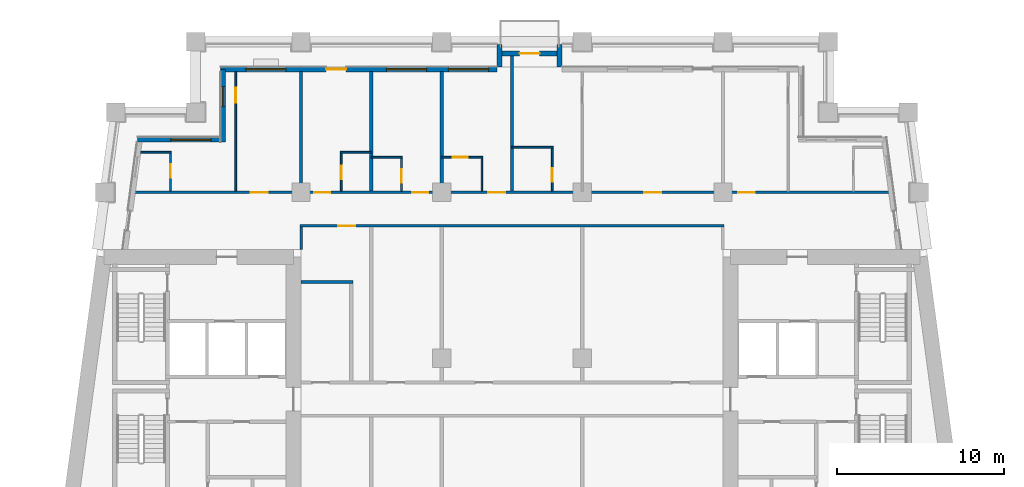
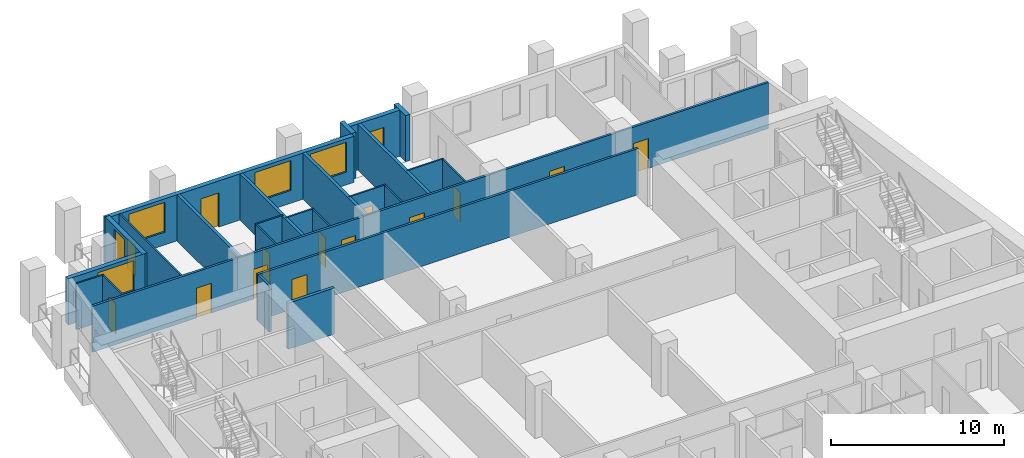
# One storey, part 6 of 13: 25 walls, 15 doors, 5 windows, 20 openings.
"""IFC4 building model written with IfcOpenShell, lengths in metres."""

from ifc_helpers import new_model, si_unit, direction, frame, frame_2d, origin, place, context, subcontext, project, spatial, rectangle, extrude, material, layer, layer_set, type_object, element, fill, save


model = new_model("IFC4")

# Units and contexts
model_context = context("Model", 3, precision=1e-05, world=origin(), true_north=direction((0.0, 1.0)))
body_context = subcontext(model_context, "Body", "Model", "MODEL_VIEW")
ifc_project = project(units=[si_unit("LENGTHUNIT", "METRE"), si_unit("AREAUNIT", "SQUARE_METRE"), si_unit("VOLUMEUNIT", "CUBIC_METRE"), si_unit("PLANEANGLEUNIT", "RADIAN"), si_unit("MASSUNIT", "GRAM", prefix="KILO")], contexts=[model_context])

# Site, building, storey
site_placement = place(None, origin())
site = spatial("IfcSite", under=ifc_project, at=site_placement, CompositionType="ELEMENT")
building_placement = place(site_placement, origin())
building = spatial("IfcBuilding", under=site, at=building_placement, Name="Candeia Pilgrim Tower and Theatre", CompositionType="ELEMENT")
storey_placement = place(building_placement, frame((0.0, 0.0, 188.5)))
storey = spatial("IfcBuildingStorey", under=building, at=storey_placement, Name="L45", CompositionType="ELEMENT", Elevation=188.5)

# Wall, openings, door, windows
ifc_material_1 = material(Name="Ceramic block masonry", Category="masonry")
ifc_layer_1 = layer(ifc_material_1, 0.300048828125)
ifc_layer_set_1 = layer_set([ifc_layer_1], Name="EW1 glazing-line wall 300")
wall_type_1 = type_object("IfcWallType", Name="EW1 glazing-line wall 300", PredefinedType="SOLIDWALL", material=ifc_layer_set_1)
wall_1_placement = place(storey_placement, frame((112.5, 143.14990234375, 0.0), z_axis=(0.0, 0.0, 1.0), x_axis=(-1.0, 0.0, 0.0)))
wall_1 = element("IfcWall", 1, at=wall_1_placement, inside=storey, type_object=wall_type_1, Name="External wall L45-6.1", PredefinedType="SOLIDWALL", context=body_context, shape_type="SweptSolid", body=[
    extrude(rectangle(XDim=16.5, YDim=0.300048828125, at=frame_2d((8.25, 0.0))), origin(), (0.0, 0.0, 1.0), 3.25),
])
opening_1_placement = place(wall_1_placement, frame((0.5, 0.0, 0.89990234375)))
opening_1 = element("IfcOpeningElement", 2, at=opening_1_placement, cuts=wall_1, Name="Opening W-A", PredefinedType="OPENING", context=body_context, shape_type="SweptSolid", body=[
    extrude(rectangle(XDim=2.39990234375, YDim=2.10009765625, at=frame_2d((1.199951171875, 1.050048828125))), frame((0.0, 0.16015625, 0.0), z_axis=(0.0, -1.0, 0.0), x_axis=(1.0, 0.0, 0.0)), (0.0, 0.0, 1.0), 0.320068359375),
])
opening_2_placement = place(wall_1_placement, frame((4.199951171875, 0.0, 0.89990234375)))
opening_2 = element("IfcOpeningElement", 3, at=opening_2_placement, cuts=wall_1, Name="Opening W-A", PredefinedType="OPENING", context=body_context, shape_type="SweptSolid", body=[
    extrude(rectangle(XDim=2.39990234375, YDim=2.10009765625, at=frame_2d((1.199951171875, 1.050048828125))), frame((0.0, 0.16015625, 0.0), z_axis=(0.0, -1.0, 0.0), x_axis=(1.0, 0.0, 0.0)), (0.0, 0.0, 1.0), 0.320068359375),
])
opening_3_placement = place(wall_1_placement, frame((9.0, 0.0, 0.0)))
opening_3 = element("IfcOpeningElement", 4, at=opening_3_placement, cuts=wall_1, Name="Opening L45-ED435", PredefinedType="OPENING", context=body_context, shape_type="SweptSolid", body=[
    extrude(rectangle(XDim=1.199951171875, YDim=2.39990234375, at=frame_2d((0.60009765625, 1.199951171875))), frame((0.0, 0.16015625, 0.0), z_axis=(0.0, -1.0, 0.0), x_axis=(1.0, 0.0, 0.0)), (0.0, 0.0, 1.0), 0.320068359375),
])
opening_4_placement = place(wall_1_placement, frame((12.60009765625, 0.0, 0.89990234375)))
opening_4 = element("IfcOpeningElement", 5, at=opening_4_placement, cuts=wall_1, Name="Opening W-A", PredefinedType="OPENING", context=body_context, shape_type="SweptSolid", body=[
    extrude(rectangle(XDim=2.39990234375, YDim=2.10009765625, at=frame_2d((1.199951171875, 1.050048828125))), frame((0.0, 0.16015625, 0.0), z_axis=(0.0, -1.0, 0.0), x_axis=(1.0, 0.0, 0.0)), (0.0, 0.0, 1.0), 0.320068359375),
])
ifc_material_2 = material(Name="Aluminium framed glazed door", Category="aluminium")
door_type_1 = type_object("IfcDoorType", Name="Loggia door 1200x2400", OperationType="DOUBLE_DOOR_SINGLE_SWING", PredefinedType="DOOR", material=ifc_material_2)
door_1_placement = place(opening_3_placement, origin())
door_1 = element("IfcDoor", 6, at=door_1_placement, inside=storey, type_object=door_type_1, Name="Loggia door L45-ED435", OperationType="DOUBLE_DOOR_SINGLE_SWING", OverallHeight=2.39990234375, OverallWidth=1.199951171875, PredefinedType="DOOR", context=body_context, shape_type="SweptSolid", body=[
    extrude(rectangle(XDim=1.199951171875, YDim=2.39990234375, at=frame_2d((0.60009765625, 1.199951171875))), frame((0.0, 0.02490234375, 0.0), z_axis=(0.0, -1.0, 0.0), x_axis=(1.0, 0.0, 0.0)), (0.0, 0.0, 1.0), 0.050048828125),
])
fill(opening_3, door_1)
ifc_material_3 = material(Name="Aluminium framed double glazing", Category="aluminium")
window_type_1 = type_object("IfcWindowType", Name="W-A window 2400x2100", PartitioningType="DOUBLE_PANEL_VERTICAL", PredefinedType="WINDOW", material=ifc_material_3)
window_1_placement = place(opening_1_placement, origin())
window_1 = element("IfcWindow", 7, at=window_1_placement, inside=storey, type_object=window_type_1, Name="Window W-A L45", OverallHeight=2.10009765625, OverallWidth=2.39990234375, PartitioningType="SINGLE_PANEL", PredefinedType="WINDOW", context=body_context, shape_type="SweptSolid", body=[
    extrude(rectangle(XDim=2.39990234375, YDim=2.10009765625, at=frame_2d((1.199951171875, 1.050048828125))), frame((0.0, 0.030029296875, 0.0), z_axis=(0.0, -1.0, 0.0), x_axis=(1.0, 0.0, 0.0)), (0.0, 0.0, 1.0), 0.06005859375),
])
fill(opening_1, window_1)
window_2_placement = place(opening_2_placement, origin())
window_2 = element("IfcWindow", 8, at=window_2_placement, inside=storey, type_object=window_type_1, Name="Window W-A L45", OverallHeight=2.10009765625, OverallWidth=2.39990234375, PartitioningType="SINGLE_PANEL", PredefinedType="WINDOW", context=body_context, shape_type="SweptSolid", body=[
    extrude(rectangle(XDim=2.39990234375, YDim=2.10009765625, at=frame_2d((1.199951171875, 1.050048828125))), frame((0.0, 0.030029296875, 0.0), z_axis=(0.0, -1.0, 0.0), x_axis=(1.0, 0.0, 0.0)), (0.0, 0.0, 1.0), 0.06005859375),
])
fill(opening_2, window_2)
window_3_placement = place(opening_4_placement, origin())
window_3 = element("IfcWindow", 9, at=window_3_placement, inside=storey, type_object=window_type_1, Name="Window W-A L45", OverallHeight=2.10009765625, OverallWidth=2.39990234375, PartitioningType="SINGLE_PANEL", PredefinedType="WINDOW", context=body_context, shape_type="SweptSolid", body=[
    extrude(rectangle(XDim=2.39990234375, YDim=2.10009765625, at=frame_2d((1.199951171875, 1.050048828125))), frame((0.0, 0.030029296875, 0.0), z_axis=(0.0, -1.0, 0.0), x_axis=(1.0, 0.0, 0.0)), (0.0, 0.0, 1.0), 0.06005859375),
])
fill(opening_4, window_3)

# Wall, opening, window
wall_2_placement = place(storey_placement, frame((96.14990234375, 143.14990234375, 0.0), z_axis=(0.0, 0.0, 1.0), x_axis=(0.0, -1.0, 0.0)))
wall_2 = element("IfcWall", 10, at=wall_2_placement, inside=storey, type_object=wall_type_1, Name="External wall L45-7.0", PredefinedType="SOLIDWALL", context=body_context, shape_type="SweptSolid", body=[
    extrude(rectangle(XDim=4.349853515625, YDim=0.300048828125, at=frame_2d((2.1748046875, 0.0))), origin(), (0.0, 0.0, 1.0), 3.25),
])
opening_5_placement = place(wall_2_placement, frame((1.02490234375, 0.0, 0.89990234375)))
opening_5 = element("IfcOpeningElement", 11, at=opening_5_placement, cuts=wall_2, Name="Opening W-B", PredefinedType="OPENING", context=body_context, shape_type="SweptSolid", body=[
    extrude(rectangle(XDim=1.199951171875, YDim=2.10009765625, at=frame_2d((0.60009765625, 1.050048828125))), frame((0.0, 0.16015625, 0.0), z_axis=(0.0, -1.0, 0.0), x_axis=(1.0, 0.0, 0.0)), (0.0, 0.0, 1.0), 0.320068359375),
])
window_type_2 = type_object("IfcWindowType", Name="W-B window 1200x2100", PartitioningType="SINGLE_PANEL", PredefinedType="WINDOW", material=ifc_material_3)
window_4_placement = place(opening_5_placement, origin())
window_4 = element("IfcWindow", 12, at=window_4_placement, inside=storey, type_object=window_type_2, Name="Window W-B L45", OverallHeight=2.10009765625, OverallWidth=1.199951171875, PartitioningType="SINGLE_PANEL", PredefinedType="WINDOW", context=body_context, shape_type="SweptSolid", body=[
    extrude(rectangle(XDim=1.199951171875, YDim=2.10009765625, at=frame_2d((0.60009765625, 1.050048828125))), frame((0.0, 0.030029296875, 0.0), z_axis=(0.0, -1.0, 0.0), x_axis=(1.0, 0.0, 0.0)), (0.0, 0.0, 1.0), 0.06005859375),
])
fill(opening_5, window_4)

wall_3_placement = place(storey_placement, frame((96.14990234375, 138.949951171875, 0.0), z_axis=(0.0, 0.0, 1.0), x_axis=(-1.0, 0.0, 0.0)))
wall_3 = element("IfcWall", 13, at=wall_3_placement, inside=storey, type_object=wall_type_1, Name="External wall L45-8.0", PredefinedType="SOLIDWALL", context=body_context, shape_type="SweptSolid", body=[
    extrude(rectangle(XDim=5.103759765625, YDim=0.300048828125, at=frame_2d((2.5517578125, 0.0))), origin(), (0.0, 0.0, 1.0), 3.25),
])
opening_6_placement = place(wall_3_placement, frame((0.72509765625, 0.0, 0.89990234375)))
opening_6 = element("IfcOpeningElement", 14, at=opening_6_placement, cuts=wall_3, Name="Opening W-A", PredefinedType="OPENING", context=body_context, shape_type="SweptSolid", body=[
    extrude(rectangle(XDim=2.39990234375, YDim=2.10009765625, at=frame_2d((1.199951171875, 1.050048828125))), frame((0.0, 0.16015625, 0.0), z_axis=(0.0, -1.0, 0.0), x_axis=(1.0, 0.0, 0.0)), (0.0, 0.0, 1.0), 0.320068359375),
])
window_5_placement = place(opening_6_placement, origin())
window_5 = element("IfcWindow", 15, at=window_5_placement, inside=storey, type_object=window_type_1, Name="Window W-A L45", OverallHeight=2.10009765625, OverallWidth=2.39990234375, PartitioningType="SINGLE_PANEL", PredefinedType="WINDOW", context=body_context, shape_type="SweptSolid", body=[
    extrude(rectangle(XDim=2.39990234375, YDim=2.10009765625, at=frame_2d((1.199951171875, 1.050048828125))), frame((0.0, 0.030029296875, 0.0), z_axis=(0.0, -1.0, 0.0), x_axis=(1.0, 0.0, 0.0)), (0.0, 0.0, 1.0), 0.06005859375),
])
fill(opening_6, window_5)

# Walls
ifc_layer_2 = layer(ifc_material_1, 0.300048828125)
ifc_layer_set_2 = layer_set([ifc_layer_2], Name="EW2 entrance infill wall 300")
wall_type_2 = type_object("IfcWallType", Name="EW2 entrance infill wall 300", PredefinedType="SOLIDWALL", material=ifc_layer_set_2)
for number, where, z_axis, x_axis, name in (
    (16, (116.25, 143.300048828125, 0.0), (0.0, 0.0, 1.0), (0.0, 1.0, 0.0), "Alcove wall L45"),
    (17, (112.64990234375, 143.300048828125, 0.0), (0.0, 0.0, 1.0), (0.0, 1.0, 0.0), "Alcove wall L45"),
):
    element("IfcWall", number, at=place(storey_placement, frame(where, z_axis=z_axis, x_axis=x_axis)), inside=storey, type_object=wall_type_2, Name=name, PredefinedType="SOLIDWALL", context=body_context, shape_type="SweptSolid", body=[
        extrude(rectangle(XDim=1.349853515625, YDim=0.300048828125, at=frame_2d((0.6748046875, 0.0))), origin(), (0.0, 0.0, 1.0), 3.25),
    ])

# Wall, opening, door
wall_4_placement = place(storey_placement, frame((116.39990234375, 144.10009765625, 0.0), z_axis=(0.0, 0.0, 1.0), x_axis=(-1.0, 0.0, 0.0)))
wall_4 = element("IfcWall", 18, at=wall_4_placement, inside=storey, type_object=wall_type_2, Name="Alcove wall L45", PredefinedType="SOLIDWALL", context=body_context, shape_type="SweptSolid", body=[
    extrude(rectangle(XDim=3.89990234375, YDim=0.300048828125, at=frame_2d((1.949951171875, 0.0))), origin(), (0.0, 0.0, 1.0), 3.25),
])
opening_7_placement = place(wall_4_placement, frame((1.35009765625, 0.0, 0.0)))
opening_7 = element("IfcOpeningElement", 19, at=opening_7_placement, cuts=wall_4, Name="Opening L45-ED436", PredefinedType="OPENING", context=body_context, shape_type="SweptSolid", body=[
    extrude(rectangle(XDim=1.199951171875, YDim=2.39990234375, at=frame_2d((0.60009765625, 1.199951171875))), frame((0.0, 0.16015625, 0.0), z_axis=(0.0, -1.0, 0.0), x_axis=(1.0, 0.0, 0.0)), (0.0, 0.0, 1.0), 0.320068359375),
])
door_2_placement = place(opening_7_placement, origin())
door_2 = element("IfcDoor", 20, at=door_2_placement, inside=storey, type_object=door_type_1, Name="Balcony door L45-ED436", OperationType="DOUBLE_DOOR_SINGLE_SWING", OverallHeight=2.39990234375, OverallWidth=1.199951171875, PredefinedType="DOOR", context=body_context, shape_type="SweptSolid", body=[
    extrude(rectangle(XDim=1.199951171875, YDim=2.39990234375, at=frame_2d((0.60009765625, 1.199951171875))), frame((0.0, 0.02490234375, 0.0), z_axis=(0.0, -1.0, 0.0), x_axis=(1.0, 0.0, 0.0)), (0.0, 0.0, 1.0), 0.050048828125),
])
fill(opening_7, door_2)

# Wall
ifc_material_4 = material(Name="Gypsum board partition on steel studs", Category="steel")
ifc_layer_3 = layer(ifc_material_4, 0.10009765625)
ifc_layer_set_3 = layer_set([ifc_layer_3], Name="PW-100 room partition")
wall_type_3 = type_object("IfcWallType", Name="PW-100 room partition", PredefinedType="PARTITIONING", material=ifc_layer_set_3)
wall_5_placement = place(storey_placement, frame((105.0, 137.89990234375, 0.0), z_axis=(0.0, 0.0, 1.0), x_axis=(1.0, 0.0, 0.0)))
element("IfcWall", 21, at=wall_5_placement, inside=storey, type_object=wall_type_3, Name="Room partition L45-042", PredefinedType="PARTITIONING", context=body_context, shape_type="SweptSolid", body=[
    extrude(rectangle(XDim=1.85009765625, YDim=0.10009765625, at=frame_2d((0.925048828125, 0.0))), origin(), (0.0, 0.0, 1.0), 3.25),
])

# Wall, opening, door
wall_6_placement = place(storey_placement, frame((109.199951171875, 137.89990234375, 0.0), z_axis=(0.0, 0.0, 1.0), x_axis=(1.0, 0.0, 0.0)))
wall_6 = element("IfcWall", 22, at=wall_6_placement, inside=storey, type_object=wall_type_3, Name="Room partition L45-043", PredefinedType="PARTITIONING", context=body_context, shape_type="SweptSolid", body=[
    extrude(rectangle(XDim=2.449951171875, YDim=0.10009765625, at=frame_2d((1.22509765625, 0.0))), origin(), (0.0, 0.0, 1.0), 3.25),
])
opening_8_placement = place(wall_6_placement, frame((0.669921875, 0.0, 0.0)))
opening_8 = element("IfcOpeningElement", 23, at=opening_8_placement, cuts=wall_6, Name="Opening L45-D039", PredefinedType="OPENING", context=body_context, shape_type="SweptSolid", body=[
    extrude(rectangle(XDim=0.89990234375, YDim=2.10009765625, at=frame_2d((0.449951171875, 1.050048828125))), frame((0.0, 0.06005859375, 0.0), z_axis=(0.0, -1.0, 0.0), x_axis=(1.0, 0.0, 0.0)), (0.0, 0.0, 1.0), 0.1201171875),
])
ifc_material_5 = material(Name="Timber door leaf", Category="wood")
door_type_2 = type_object("IfcDoorType", Name="D-900", OperationType="NOTDEFINED", PredefinedType="DOOR", material=ifc_material_5)
door_3_placement = place(opening_8_placement, origin())
door_3 = element("IfcDoor", 24, at=door_3_placement, inside=storey, type_object=door_type_2, Name="Door L45-D039", OperationType="SINGLE_SWING_RIGHT", OverallHeight=2.10009765625, OverallWidth=0.89990234375, PredefinedType="DOOR", context=body_context, shape_type="SweptSolid", body=[
    extrude(rectangle(XDim=0.89990234375, YDim=2.10009765625, at=frame_2d((0.449951171875, 1.050048828125))), frame((0.0, 0.02490234375, 0.0), z_axis=(0.0, -1.0, 0.0), x_axis=(1.0, 0.0, 0.0)), (0.0, 0.0, 1.0), 0.050048828125),
])
fill(opening_8, door_3)

# Walls
wall_7_placement = place(storey_placement, frame((91.2177734375, 138.199951171875, 0.0), z_axis=(0.0, 0.0, 1.0), x_axis=(1.0, 0.0, 0.0)))
element("IfcWall", 25, at=wall_7_placement, inside=storey, type_object=wall_type_3, Name="Room partition L45-044", PredefinedType="PARTITIONING", context=body_context, shape_type="SweptSolid", body=[
    extrude(rectangle(XDim=1.832275390625, YDim=0.10009765625, at=frame_2d((0.916015625, 0.0))), origin(), (0.0, 0.0, 1.0), 3.25),
])
wall_8_placement = place(storey_placement, frame((103.14990234375, 138.199951171875, 0.0), z_axis=(0.0, 0.0, 1.0), x_axis=(1.0, 0.0, 0.0)))
element("IfcWall", 26, at=wall_8_placement, inside=storey, type_object=wall_type_3, Name="Room partition L45-045", PredefinedType="PARTITIONING", context=body_context, shape_type="SweptSolid", body=[
    extrude(rectangle(XDim=1.85009765625, YDim=0.10009765625, at=frame_2d((0.925048828125, 0.0))), origin(), (0.0, 0.0, 1.0), 3.25),
])
wall_9_placement = place(storey_placement, frame((113.39990234375, 138.5, 0.0), z_axis=(0.0, 0.0, 1.0), x_axis=(1.0, 0.0, 0.0)))
element("IfcWall", 27, at=wall_9_placement, inside=storey, type_object=wall_type_3, Name="Room partition L45-046", PredefinedType="PARTITIONING", context=body_context, shape_type="SweptSolid", body=[
    extrude(rectangle(XDim=2.4501953125, YDim=0.10009765625, at=frame_2d((1.22509765625, 0.0))), origin(), (0.0, 0.0, 1.0), 3.25),
])

# Wall, opening, door
wall_10_placement = place(storey_placement, frame((93.0, 135.875, 0.0), z_axis=(0.0, 0.0, 1.0), x_axis=(0.0, 1.0, 0.0)))
wall_10 = element("IfcWall", 28, at=wall_10_placement, inside=storey, type_object=wall_type_3, Name="Room partition L45-059", PredefinedType="PARTITIONING", context=body_context, shape_type="SweptSolid", body=[
    extrude(rectangle(XDim=2.27490234375, YDim=0.10009765625, at=frame_2d((1.137451171875, 0.0))), origin(), (0.0, 0.0, 1.0), 3.25),
])
opening_9_placement = place(wall_10_placement, frame((0.81494140625, 0.0, 0.0)))
opening_9 = element("IfcOpeningElement", 29, at=opening_9_placement, cuts=wall_10, Name="Opening L45-D033", PredefinedType="OPENING", context=body_context, shape_type="SweptSolid", body=[
    extrude(rectangle(XDim=0.800048828125, YDim=2.10009765625, at=frame_2d((0.39990234375, 1.050048828125))), frame((0.0, 0.06005859375, 0.0), z_axis=(0.0, -1.0, 0.0), x_axis=(1.0, 0.0, 0.0)), (0.0, 0.0, 1.0), 0.1201171875),
])
door_type_3 = type_object("IfcDoorType", Name="D-800", OperationType="NOTDEFINED", PredefinedType="DOOR", material=ifc_material_5)
door_4_placement = place(opening_9_placement, origin())
door_4 = element("IfcDoor", 30, at=door_4_placement, inside=storey, type_object=door_type_3, Name="Door L45-D033", OperationType="SINGLE_SWING_RIGHT", OverallHeight=2.10009765625, OverallWidth=0.800048828125, PredefinedType="DOOR", context=body_context, shape_type="SweptSolid", body=[
    extrude(rectangle(XDim=0.800048828125, YDim=2.10009765625, at=frame_2d((0.39990234375, 1.050048828125))), frame((0.0, 0.02490234375, 0.0), z_axis=(0.0, -1.0, 0.0), x_axis=(1.0, 0.0, 0.0)), (0.0, 0.0, 1.0), 0.050048828125),
])
fill(opening_9, door_4)

wall_11_placement = place(storey_placement, frame((96.89990234375, 135.875, 0.0), z_axis=(0.0, 0.0, 1.0), x_axis=(0.0, 1.0, 0.0)))
wall_11 = element("IfcWall", 31, at=wall_11_placement, inside=storey, type_object=wall_type_3, Name="Room partition L45-064", PredefinedType="PARTITIONING", context=body_context, shape_type="SweptSolid", body=[
    extrude(rectangle(XDim=7.135009765625, YDim=0.10009765625, at=frame_2d((3.5673828125, 0.0))), origin(), (0.0, 0.0, 1.0), 3.25),
])
opening_10_placement = place(wall_11_placement, frame((5.2900390625, 0.0, 0.0)))
opening_10 = element("IfcOpeningElement", 32, at=opening_10_placement, cuts=wall_11, Name="Opening L45-D032", PredefinedType="OPENING", context=body_context, shape_type="SweptSolid", body=[
    extrude(rectangle(XDim=0.89990234375, YDim=2.10009765625, at=frame_2d((0.449951171875, 1.050048828125))), frame((0.0, 0.06005859375, 0.0), z_axis=(0.0, -1.0, 0.0), x_axis=(1.0, 0.0, 0.0)), (0.0, 0.0, 1.0), 0.1201171875),
])
door_5_placement = place(opening_10_placement, origin())
door_5 = element("IfcDoor", 33, at=door_5_placement, inside=storey, type_object=door_type_2, Name="Door L45-D032", OperationType="SINGLE_SWING_LEFT", OverallHeight=2.10009765625, OverallWidth=0.89990234375, PredefinedType="DOOR", context=body_context, shape_type="SweptSolid", body=[
    extrude(rectangle(XDim=0.89990234375, YDim=2.10009765625, at=frame_2d((0.449951171875, 1.050048828125))), frame((0.0, 0.02490234375, 0.0), z_axis=(0.0, -1.0, 0.0), x_axis=(1.0, 0.0, 0.0)), (0.0, 0.0, 1.0), 0.050048828125),
])
fill(opening_10, door_5)

wall_12_placement = place(storey_placement, frame((103.199951171875, 135.875, 0.0), z_axis=(0.0, 0.0, 1.0), x_axis=(0.0, 1.0, 0.0)))
wall_12 = element("IfcWall", 34, at=wall_12_placement, inside=storey, type_object=wall_type_3, Name="Room partition L45-073", PredefinedType="PARTITIONING", context=body_context, shape_type="SweptSolid", body=[
    extrude(rectangle(XDim=2.27490234375, YDim=0.10009765625, at=frame_2d((1.137451171875, 0.0))), origin(), (0.0, 0.0, 1.0), 3.25),
])
opening_11_placement = place(wall_12_placement, frame((0.72509765625, 0.0, 0.0)))
opening_11 = element("IfcOpeningElement", 35, at=opening_11_placement, cuts=wall_12, Name="Opening L45-D035", PredefinedType="OPENING", context=body_context, shape_type="SweptSolid", body=[
    extrude(rectangle(XDim=0.800048828125, YDim=2.10009765625, at=frame_2d((0.39990234375, 1.050048828125))), frame((0.0, 0.06005859375, 0.0), z_axis=(0.0, -1.0, 0.0), x_axis=(1.0, 0.0, 0.0)), (0.0, 0.0, 1.0), 0.1201171875),
])
door_6_placement = place(opening_11_placement, origin())
door_6 = element("IfcDoor", 36, at=door_6_placement, inside=storey, type_object=door_type_3, Name="Door L45-D035", OperationType="SINGLE_SWING_RIGHT", OverallHeight=2.10009765625, OverallWidth=0.800048828125, PredefinedType="DOOR", context=body_context, shape_type="SweptSolid", body=[
    extrude(rectangle(XDim=0.800048828125, YDim=2.10009765625, at=frame_2d((0.39990234375, 1.050048828125))), frame((0.0, 0.02490234375, 0.0), z_axis=(0.0, -1.0, 0.0), x_axis=(1.0, 0.0, 0.0)), (0.0, 0.0, 1.0), 0.050048828125),
])
fill(opening_11, door_6)

wall_13_placement = place(storey_placement, frame((106.800048828125, 135.875, 0.0), z_axis=(0.0, 0.0, 1.0), x_axis=(0.0, 1.0, 0.0)))
wall_13 = element("IfcWall", 37, at=wall_13_placement, inside=storey, type_object=wall_type_3, Name="Room partition L45-079", PredefinedType="PARTITIONING", context=body_context, shape_type="SweptSolid", body=[
    extrude(rectangle(XDim=1.97509765625, YDim=0.10009765625, at=frame_2d((0.987548828125, 0.0))), origin(), (0.0, 0.0, 1.0), 3.25),
])
opening_12_placement = place(wall_13_placement, frame((0.514892578125, 0.0, 0.0)))
opening_12 = element("IfcOpeningElement", 38, at=opening_12_placement, cuts=wall_13, Name="Opening L45-D037", PredefinedType="OPENING", context=body_context, shape_type="SweptSolid", body=[
    extrude(rectangle(XDim=0.800048828125, YDim=2.10009765625, at=frame_2d((0.39990234375, 1.050048828125))), frame((0.0, 0.06005859375, 0.0), z_axis=(0.0, -1.0, 0.0), x_axis=(1.0, 0.0, 0.0)), (0.0, 0.0, 1.0), 0.1201171875),
])
door_7_placement = place(opening_12_placement, origin())
door_7 = element("IfcDoor", 39, at=door_7_placement, inside=storey, type_object=door_type_3, Name="Door L45-D037", OperationType="SINGLE_SWING_RIGHT", OverallHeight=2.10009765625, OverallWidth=0.800048828125, PredefinedType="DOOR", context=body_context, shape_type="SweptSolid", body=[
    extrude(rectangle(XDim=0.800048828125, YDim=2.10009765625, at=frame_2d((0.39990234375, 1.050048828125))), frame((0.0, 0.02490234375, 0.0), z_axis=(0.0, -1.0, 0.0), x_axis=(1.0, 0.0, 0.0)), (0.0, 0.0, 1.0), 0.050048828125),
])
fill(opening_12, door_7)

# Wall
wall_14_placement = place(storey_placement, frame((111.60009765625, 135.875, 0.0), z_axis=(0.0, 0.0, 1.0), x_axis=(0.0, 1.0, 0.0)))
element("IfcWall", 40, at=wall_14_placement, inside=storey, type_object=wall_type_3, Name="Room partition L45-084", PredefinedType="PARTITIONING", context=body_context, shape_type="SweptSolid", body=[
    extrude(rectangle(XDim=1.97509765625, YDim=0.10009765625, at=frame_2d((0.987548828125, 0.0))), origin(), (0.0, 0.0, 1.0), 3.25),
])

# Wall, opening, door
wall_15_placement = place(storey_placement, frame((115.800048828125, 135.875, 0.0), z_axis=(0.0, 0.0, 1.0), x_axis=(0.0, 1.0, 0.0)))
wall_15 = element("IfcWall", 41, at=wall_15_placement, inside=storey, type_object=wall_type_3, Name="Room partition L45-087", PredefinedType="PARTITIONING", context=body_context, shape_type="SweptSolid", body=[
    extrude(rectangle(XDim=2.574951171875, YDim=0.10009765625, at=frame_2d((1.28759765625, 0.0))), origin(), (0.0, 0.0, 1.0), 3.25),
])
opening_13_placement = place(wall_15_placement, frame((0.574951171875, 0.0, 0.0)))
opening_13 = element("IfcOpeningElement", 42, at=opening_13_placement, cuts=wall_15, Name="Opening L45-D042", PredefinedType="OPENING", context=body_context, shape_type="SweptSolid", body=[
    extrude(rectangle(XDim=0.800048828125, YDim=2.10009765625, at=frame_2d((0.39990234375, 1.050048828125))), frame((0.0, 0.06005859375, 0.0), z_axis=(0.0, -1.0, 0.0), x_axis=(1.0, 0.0, 0.0)), (0.0, 0.0, 1.0), 0.1201171875),
])
door_8_placement = place(opening_13_placement, origin())
door_8 = element("IfcDoor", 43, at=door_8_placement, inside=storey, type_object=door_type_3, Name="Door L45-D042", OperationType="SINGLE_SWING_LEFT", OverallHeight=2.10009765625, OverallWidth=0.800048828125, PredefinedType="DOOR", context=body_context, shape_type="SweptSolid", body=[
    extrude(rectangle(XDim=0.800048828125, YDim=2.10009765625, at=frame_2d((0.39990234375, 1.050048828125))), frame((0.0, 0.02490234375, 0.0), z_axis=(0.0, -1.0, 0.0), x_axis=(1.0, 0.0, 0.0)), (0.0, 0.0, 1.0), 0.050048828125),
])
fill(opening_13, door_8)

ifc_layer_4 = layer(ifc_material_4, 0.14990234375)
ifc_layer_set_4 = layer_set([ifc_layer_4], Name="PW-150 unit wall")
wall_type_4 = type_object("IfcWallType", Name="PW-150 unit wall", PredefinedType="PARTITIONING", material=ifc_layer_set_4)
wall_16_placement = place(storey_placement, frame((100.72509765625, 133.800048828125, 0.0), z_axis=(0.0, 0.0, 1.0), x_axis=(1.0, 0.0, 0.0)))
wall_16 = element("IfcWall", 44, at=wall_16_placement, inside=storey, type_object=wall_type_4, Name="Unit wall L45-040", PredefinedType="PARTITIONING", context=body_context, shape_type="SweptSolid", body=[
    extrude(rectangle(XDim=25.349853515625, YDim=0.14990234375, at=frame_2d((12.6748046875, 0.0))), origin(), (0.0, 0.0, 1.0), 3.25),
])
opening_14_placement = place(wall_16_placement, frame((2.300048828125, 0.0, 0.0)))
opening_14 = element("IfcOpeningElement", 45, at=opening_14_placement, cuts=wall_16, Name="Opening L45-D046", PredefinedType="OPENING", context=body_context, shape_type="SweptSolid", body=[
    extrude(rectangle(XDim=1.0, YDim=2.10009765625, at=frame_2d((0.5, 1.050048828125))), frame((0.0, 0.0849609375, 0.0), z_axis=(0.0, -1.0, 0.0), x_axis=(1.0, 0.0, 0.0)), (0.0, 0.0, 1.0), 0.169921875),
])
ifc_material_6 = material(Name="Steel fire door set", Category="steel")
door_type_4 = type_object("IfcDoorType", Name="D-1000-FD30S", OperationType="NOTDEFINED", PredefinedType="DOOR", material=ifc_material_6)
door_9_placement = place(opening_14_placement, origin())
door_9 = element("IfcDoor", 46, at=door_9_placement, inside=storey, type_object=door_type_4, Name="Door L45-D046", OperationType="SINGLE_SWING_LEFT", OverallHeight=2.10009765625, OverallWidth=1.0, PredefinedType="DOOR", context=body_context, shape_type="SweptSolid", body=[
    extrude(rectangle(XDim=1.0, YDim=2.10009765625, at=frame_2d((0.5, 1.050048828125))), frame((0.0, 0.02490234375, 0.0), z_axis=(0.0, -1.0, 0.0), x_axis=(1.0, 0.0, 0.0)), (0.0, 0.0, 1.0), 0.050048828125),
])
fill(opening_14, door_9)

# Wall, openings, doors
wall_17_placement = place(storey_placement, frame((90.89453125, 135.800048828125, 0.0), z_axis=(0.0, 0.0, 1.0), x_axis=(1.0, 0.0, 0.0)))
wall_17 = element("IfcWall", 47, at=wall_17_placement, inside=storey, type_object=wall_type_4, Name="Unit wall L45-041", PredefinedType="PARTITIONING", context=body_context, shape_type="SweptSolid", body=[
    extrude(rectangle(XDim=45.010986328125, YDim=0.14990234375, at=frame_2d((22.50537109375, 0.0))), origin(), (0.0, 0.0, 1.0), 3.25),
])
opening_15_placement = place(wall_17_placement, frame((6.905517578125, 0.0, 0.0)))
opening_15 = element("IfcOpeningElement", 48, at=opening_15_placement, cuts=wall_17, Name="Opening L45-D031", PredefinedType="OPENING", context=body_context, shape_type="SweptSolid", body=[
    extrude(rectangle(XDim=1.0, YDim=2.10009765625, at=frame_2d((0.5, 1.050048828125))), frame((0.0, 0.0849609375, 0.0), z_axis=(0.0, -1.0, 0.0), x_axis=(1.0, 0.0, 0.0)), (0.0, 0.0, 1.0), 0.169921875),
])
opening_16_placement = place(wall_17_placement, frame((10.705322265625, 0.0, 0.0)))
opening_16 = element("IfcOpeningElement", 49, at=opening_16_placement, cuts=wall_17, Name="Opening L45-D034", PredefinedType="OPENING", context=body_context, shape_type="SweptSolid", body=[
    extrude(rectangle(XDim=0.949951171875, YDim=2.10009765625, at=frame_2d((0.47509765625, 1.050048828125))), frame((0.0, 0.0849609375, 0.0), z_axis=(0.0, -1.0, 0.0), x_axis=(1.0, 0.0, 0.0)), (0.0, 0.0, 1.0), 0.169921875),
])
opening_17_placement = place(wall_17_placement, frame((16.555419921875, 0.0, 0.0)))
opening_17 = element("IfcOpeningElement", 50, at=opening_17_placement, cuts=wall_17, Name="Opening L45-D036", PredefinedType="OPENING", context=body_context, shape_type="SweptSolid", body=[
    extrude(rectangle(XDim=0.949951171875, YDim=2.10009765625, at=frame_2d((0.47509765625, 1.050048828125))), frame((0.0, 0.0849609375, 0.0), z_axis=(0.0, -1.0, 0.0), x_axis=(1.0, 0.0, 0.0)), (0.0, 0.0, 1.0), 0.169921875),
])
opening_18_placement = place(wall_17_placement, frame((21.095458984375, 0.0, 0.0)))
opening_18 = element("IfcOpeningElement", 51, at=opening_18_placement, cuts=wall_17, Name="Opening L45-D038", PredefinedType="OPENING", context=body_context, shape_type="SweptSolid", body=[
    extrude(rectangle(XDim=1.0, YDim=2.10009765625, at=frame_2d((0.5, 1.050048828125))), frame((0.0, 0.0849609375, 0.0), z_axis=(0.0, -1.0, 0.0), x_axis=(1.0, 0.0, 0.0)), (0.0, 0.0, 1.0), 0.169921875),
])
opening_19_placement = place(wall_17_placement, frame((30.405517578125, 0.0, 0.0)))
opening_19 = element("IfcOpeningElement", 52, at=opening_19_placement, cuts=wall_17, Name="Opening L45-D040", PredefinedType="OPENING", context=body_context, shape_type="SweptSolid", body=[
    extrude(rectangle(XDim=1.0, YDim=2.10009765625, at=frame_2d((0.5, 1.050048828125))), frame((0.0, 0.0849609375, 0.0), z_axis=(0.0, -1.0, 0.0), x_axis=(1.0, 0.0, 0.0)), (0.0, 0.0, 1.0), 0.169921875),
])
opening_20_placement = place(wall_17_placement, frame((36.00537109375, 0.0, 0.0)))
opening_20 = element("IfcOpeningElement", 53, at=opening_20_placement, cuts=wall_17, Name="Opening L45-D043", PredefinedType="OPENING", context=body_context, shape_type="SweptSolid", body=[
    extrude(rectangle(XDim=1.0, YDim=2.10009765625, at=frame_2d((0.5, 1.050048828125))), frame((0.0, 0.0849609375, 0.0), z_axis=(0.0, -1.0, 0.0), x_axis=(1.0, 0.0, 0.0)), (0.0, 0.0, 1.0), 0.169921875),
])
door_10_placement = place(opening_15_placement, origin())
door_10 = element("IfcDoor", 54, at=door_10_placement, inside=storey, type_object=door_type_4, Name="Door L45-D031", OperationType="SINGLE_SWING_RIGHT", OverallHeight=2.10009765625, OverallWidth=1.0, PredefinedType="DOOR", context=body_context, shape_type="SweptSolid", body=[
    extrude(rectangle(XDim=1.0, YDim=2.10009765625, at=frame_2d((0.5, 1.050048828125))), frame((0.0, 0.02490234375, 0.0), z_axis=(0.0, -1.0, 0.0), x_axis=(1.0, 0.0, 0.0)), (0.0, 0.0, 1.0), 0.050048828125),
])
fill(opening_15, door_10)
door_11_placement = place(opening_18_placement, origin())
door_11 = element("IfcDoor", 55, at=door_11_placement, inside=storey, type_object=door_type_4, Name="Door L45-D038", OperationType="SINGLE_SWING_LEFT", OverallHeight=2.10009765625, OverallWidth=1.0, PredefinedType="DOOR", context=body_context, shape_type="SweptSolid", body=[
    extrude(rectangle(XDim=1.0, YDim=2.10009765625, at=frame_2d((0.5, 1.050048828125))), frame((0.0, 0.02490234375, 0.0), z_axis=(0.0, -1.0, 0.0), x_axis=(1.0, 0.0, 0.0)), (0.0, 0.0, 1.0), 0.050048828125),
])
fill(opening_18, door_11)
door_12_placement = place(opening_19_placement, origin())
door_12 = element("IfcDoor", 56, at=door_12_placement, inside=storey, type_object=door_type_4, Name="Door L45-D040", OperationType="SINGLE_SWING_LEFT", OverallHeight=2.10009765625, OverallWidth=1.0, PredefinedType="DOOR", context=body_context, shape_type="SweptSolid", body=[
    extrude(rectangle(XDim=1.0, YDim=2.10009765625, at=frame_2d((0.5, 1.050048828125))), frame((0.0, 0.02490234375, 0.0), z_axis=(0.0, -1.0, 0.0), x_axis=(1.0, 0.0, 0.0)), (0.0, 0.0, 1.0), 0.050048828125),
])
fill(opening_19, door_12)
door_13_placement = place(opening_20_placement, origin())
door_13 = element("IfcDoor", 57, at=door_13_placement, inside=storey, type_object=door_type_4, Name="Door L45-D043", OperationType="SINGLE_SWING_RIGHT", OverallHeight=2.10009765625, OverallWidth=1.0, PredefinedType="DOOR", context=body_context, shape_type="SweptSolid", body=[
    extrude(rectangle(XDim=1.0, YDim=2.10009765625, at=frame_2d((0.5, 1.050048828125))), frame((0.0, 0.02490234375, 0.0), z_axis=(0.0, -1.0, 0.0), x_axis=(1.0, 0.0, 0.0)), (0.0, 0.0, 1.0), 0.050048828125),
])
fill(opening_20, door_13)
door_type_5 = type_object("IfcDoorType", Name="D-950-FD30S", OperationType="NOTDEFINED", PredefinedType="DOOR", material=ifc_material_6)
door_14_placement = place(opening_16_placement, origin())
door_14 = element("IfcDoor", 58, at=door_14_placement, inside=storey, type_object=door_type_5, Name="Door L45-D034", OperationType="SINGLE_SWING_LEFT", OverallHeight=2.10009765625, OverallWidth=0.949951171875, PredefinedType="DOOR", context=body_context, shape_type="SweptSolid", body=[
    extrude(rectangle(XDim=0.949951171875, YDim=2.10009765625, at=frame_2d((0.47509765625, 1.050048828125))), frame((0.0, 0.02490234375, 0.0), z_axis=(0.0, -1.0, 0.0), x_axis=(1.0, 0.0, 0.0)), (0.0, 0.0, 1.0), 0.050048828125),
])
fill(opening_16, door_14)
door_15_placement = place(opening_17_placement, origin())
door_15 = element("IfcDoor", 59, at=door_15_placement, inside=storey, type_object=door_type_5, Name="Door L45-D036", OperationType="SINGLE_SWING_LEFT", OverallHeight=2.10009765625, OverallWidth=0.949951171875, PredefinedType="DOOR", context=body_context, shape_type="SweptSolid", body=[
    extrude(rectangle(XDim=0.949951171875, YDim=2.10009765625, at=frame_2d((0.47509765625, 1.050048828125))), frame((0.0, 0.02490234375, 0.0), z_axis=(0.0, -1.0, 0.0), x_axis=(1.0, 0.0, 0.0)), (0.0, 0.0, 1.0), 0.050048828125),
])
fill(opening_17, door_15)

# Walls
wall_18_placement = place(storey_placement, frame((100.800048828125, 132.39990234375, 0.0), z_axis=(0.0, 0.0, 1.0), x_axis=(0.0, 1.0, 0.0)))
element("IfcWall", 60, at=wall_18_placement, inside=storey, type_object=wall_type_4, Name="Unit wall L45-071", PredefinedType="PARTITIONING", context=body_context, shape_type="SweptSolid", body=[
    extrude(rectangle(XDim=1.3251953125, YDim=0.14990234375, at=frame_2d((0.66259765625, 0.0))), origin(), (0.0, 0.0, 1.0), 3.25),
])
ifc_layer_5 = layer(ifc_material_4, 0.199951171875)
ifc_layer_set_5 = layer_set([ifc_layer_5], Name="PW-200 party wall")
wall_type_5 = type_object("IfcWallType", Name="PW-200 party wall", PredefinedType="PARTITIONING", material=ifc_layer_set_5)
wall_19_placement = place(storey_placement, frame((100.800048828125, 130.449951171875, 0.0), z_axis=(0.0, 0.0, 1.0), x_axis=(1.0, 0.0, 0.0)))
element("IfcWall", 61, at=wall_19_placement, inside=storey, type_object=wall_type_5, Name="Party wall L45-037", PredefinedType="PARTITIONING", context=body_context, shape_type="SweptSolid", body=[
    extrude(rectangle(XDim=3.099853515625, YDim=0.199951171875, at=frame_2d((1.5498046875, 0.0))), origin(), (0.0, 0.0, 1.0), 3.25),
])
for number, where, z_axis, x_axis, name in (
    (62, (100.800048828125, 135.875, 0.0), (0.0, 0.0, 1.0), (0.0, 1.0, 0.0), "Party wall L45-069"),
    (63, (105.0, 135.875, 0.0), (0.0, 0.0, 1.0), (0.0, 1.0, 0.0), "Party wall L45-078"),
    (64, (109.199951171875, 135.875, 0.0), (0.0, 0.0, 1.0), (0.0, 1.0, 0.0), "Party wall L45-083"),
):
    element("IfcWall", number, at=place(storey_placement, frame(where, z_axis=z_axis, x_axis=x_axis)), inside=storey, type_object=wall_type_5, Name=name, PredefinedType="PARTITIONING", context=body_context, shape_type="SweptSolid", body=[
        extrude(rectangle(XDim=7.135009765625, YDim=0.199951171875, at=frame_2d((3.5673828125, 0.0))), origin(), (0.0, 0.0, 1.0), 3.25),
    ])
wall_20_placement = place(storey_placement, frame((113.39990234375, 135.875, 0.0), z_axis=(0.0, 0.0, 1.0), x_axis=(0.0, 1.0, 0.0)))
element("IfcWall", 65, at=wall_20_placement, inside=storey, type_object=wall_type_5, Name="Party wall L45-086", PredefinedType="PARTITIONING", context=body_context, shape_type="SweptSolid", body=[
    extrude(rectangle(XDim=8.0849609375, YDim=0.199951171875, at=frame_2d((4.04248046875, 0.0))), origin(), (0.0, 0.0, 1.0), 3.25),
])

save(model, "model.ifc")
